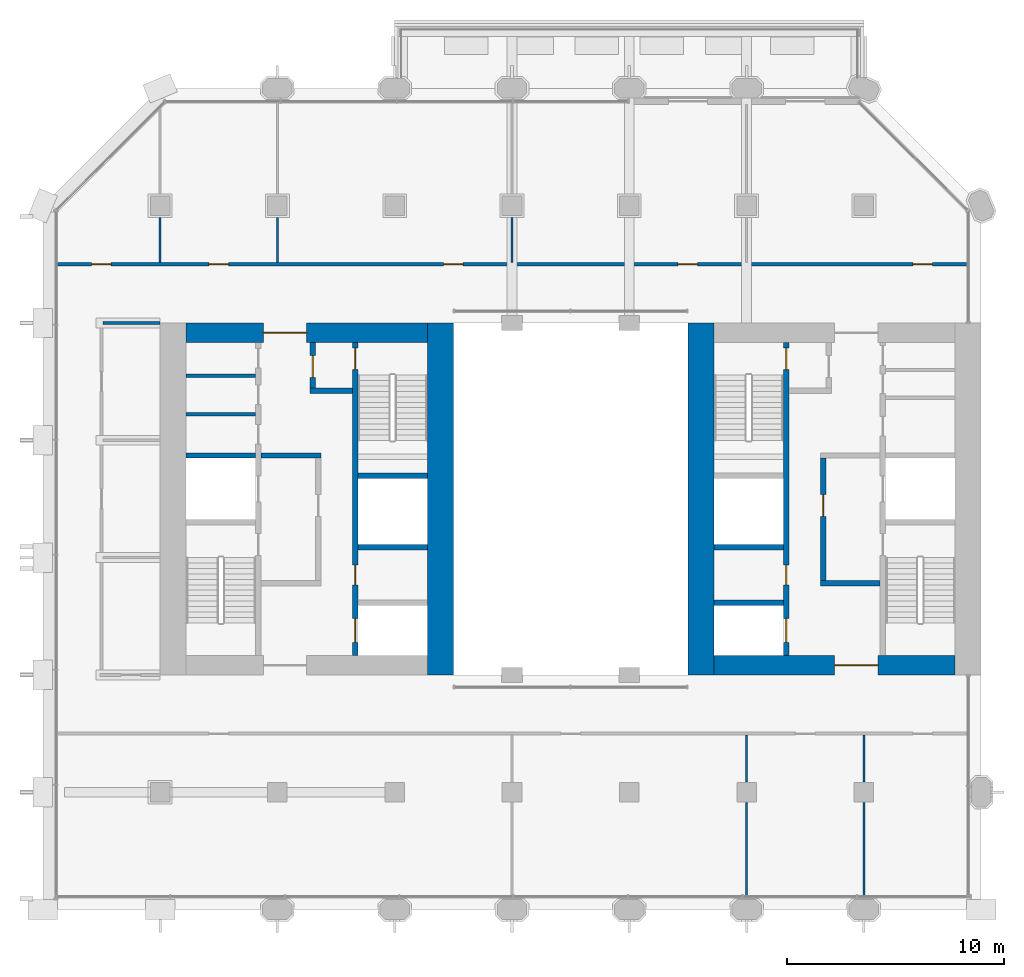
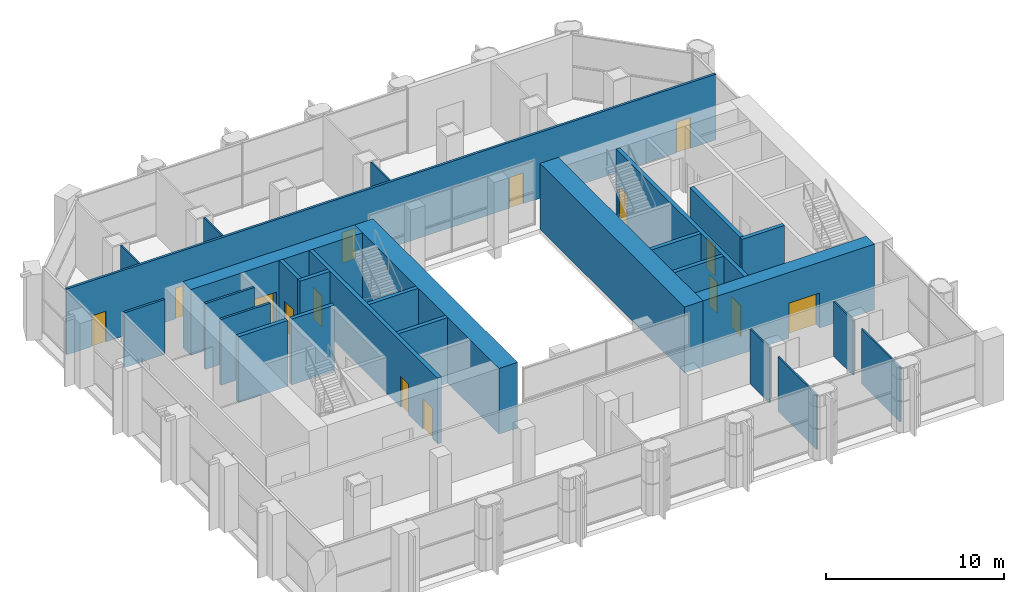
# One storey, part 11 of 15: 27 walls, 15 doors, 15 openings.
"""IFC4 building model written with IfcOpenShell, lengths in metres."""

from ifc_helpers import new_model, si_unit, direction, frame, frame_2d, origin, place, context, subcontext, project, spatial, rectangle, extrude, material, layer, layer_set, type_object, element, fill, save


model = new_model("IFC4")

# Units and contexts
model_context = context("Model", 3, precision=1e-05, world=origin(), true_north=direction((0.0, 1.0)))
body_context = subcontext(model_context, "Body", "Model", "MODEL_VIEW")
ifc_project = project(units=[si_unit("LENGTHUNIT", "METRE"), si_unit("AREAUNIT", "SQUARE_METRE"), si_unit("VOLUMEUNIT", "CUBIC_METRE"), si_unit("PLANEANGLEUNIT", "RADIAN"), si_unit("MASSUNIT", "GRAM", prefix="KILO")], contexts=[model_context])

# Site, building, storey
site_placement = place(None, origin())
site = spatial("IfcSite", under=ifc_project, at=site_placement, CompositionType="ELEMENT")
building_placement = place(site_placement, origin())
building = spatial("IfcBuilding", under=site, at=building_placement, Name="Tabaq Tower and Sports Hall", CompositionType="ELEMENT")
storey_placement = place(building_placement, frame((0.0, 0.0, 148.0)))
storey = spatial("IfcBuildingStorey", under=building, at=storey_placement, Name="L34", CompositionType="ELEMENT", Elevation=148.0)

# Walls
ifc_material_1 = material(Name="Blockwork", Category="masonry")
ifc_layer_1 = layer(ifc_material_1, 0.14990234375)
ifc_layer_set_1 = layer_set([ifc_layer_1], Name="Core room partition 150 Blockwork")
wall_type_1 = type_object("IfcWallType", Name="Core room partition 150 Blockwork", PredefinedType="PARTITIONING", material=ifc_layer_set_1)
for number, where, z_axis, x_axis, name in (
    (1, (6.60009765625, 28.200927734375, 0.0), (0.0, 0.0, 1.0), (1.0, 0.0, 0.0), "Core room partition W L34"),
    (2, (6.60009765625, 29.97705078125, 0.0), (0.0, 0.0, 1.0), (1.0, 0.0, 0.0), "Core room partition W L34"),
):
    element("IfcWall", number, at=place(storey_placement, frame(where, z_axis=z_axis, x_axis=x_axis)), inside=storey, type_object=wall_type_1, Name=name, PredefinedType="PARTITIONING", context=body_context, shape_type="SweptSolid", body=[
        extrude(rectangle(XDim=3.199951171875, YDim=0.14990234375, at=frame_2d((1.60009765625, 0.0))), origin(), (0.0, 0.0, 1.0), 4.5),
    ])
ifc_material_2 = material(Name="Concrete C50/60", Category="concrete")
ifc_layer_2 = layer(ifc_material_2, 1.199951171875)
ifc_layer_set_2 = layer_set([ifc_layer_2], Name="Core wall 1200 Concrete C50/60")
wall_type_2 = type_object("IfcWallType", Name="Core wall 1200 Concrete C50/60", PredefinedType="SOLIDWALL", material=ifc_layer_set_2)
for number, where, z_axis, x_axis, name in (
    (3, (18.300048828125, 32.39990234375, 0.0), (0.0, 0.0, 1.0), (0.0, -1.0, 0.0), "Core wall W L34"),
    (4, (30.300048828125, 16.199951171875, 0.0), (0.0, 0.0, 1.0), (0.0, 1.0, 0.0), "Core wall E L34"),
):
    element("IfcWall", number, at=place(storey_placement, frame(where, z_axis=z_axis, x_axis=x_axis)), inside=storey, type_object=wall_type_2, Name=name, PredefinedType="SOLIDWALL", context=body_context, shape_type="SweptSolid", body=[
        extrude(rectangle(XDim=16.199951171875, YDim=1.199951171875, at=frame_2d((8.10009765625, 0.0))), origin(), (0.0, 0.0, 1.0), 4.5),
    ])

# Wall, opening, door
ifc_material_3 = material(Name="Concrete C50/60", Category="concrete")
ifc_layer_3 = layer(ifc_material_3, 0.89990234375)
ifc_layer_set_3 = layer_set([ifc_layer_3], Name="Core wall 900 Concrete C50/60")
wall_type_3 = type_object("IfcWallType", Name="Core wall 900 Concrete C50/60", PredefinedType="SOLIDWALL", material=ifc_layer_set_3)
wall_1_placement = place(storey_placement, frame((6.60009765625, 31.949951171875, 0.0), z_axis=(0.0, 0.0, 1.0), x_axis=(1.0, 0.0, 0.0)))
wall_1 = element("IfcWall", 5, at=wall_1_placement, inside=storey, type_object=wall_type_3, Name="Core wall W L34", PredefinedType="SOLIDWALL", context=body_context, shape_type="SweptSolid", body=[
    extrude(rectangle(XDim=11.099853515625, YDim=0.89990234375, at=frame_2d((5.5498046875, 0.0))), origin(), (0.0, 0.0, 1.0), 4.5),
])
opening_1_placement = place(wall_1_placement, frame((3.550048828125, 0.0, 0.0)))
opening_1 = element("IfcOpeningElement", 6, at=opening_1_placement, cuts=wall_1, Name="Opening PD-WL34-02", PredefinedType="OPENING", context=body_context, shape_type="SweptSolid", body=[
    extrude(rectangle(XDim=2.0, YDim=2.39990234375, at=frame_2d((1.0, 1.199951171875))), frame((0.0, 0.449951171875, 0.0), z_axis=(0.0, -1.0, 0.0), x_axis=(1.0, 0.0, 0.0)), (0.0, 0.0, 1.0), 0.89990234375),
])
ifc_material_4 = material(Name="Steel fire door", Category="steel")
door_type_1 = type_object("IfcDoorType", Name="Core entrance door 2000", OperationType="DOUBLE_DOOR_SINGLE_SWING", PredefinedType="DOOR", material=ifc_material_4)
door_1_placement = place(opening_1_placement, origin())
door_1 = element("IfcDoor", 7, at=door_1_placement, inside=storey, type_object=door_type_1, Name="Core entrance north W L34", OperationType="DOUBLE_DOOR_SINGLE_SWING", OverallHeight=2.39990234375, OverallWidth=2.0, PredefinedType="DOOR", context=body_context, shape_type="SweptSolid", body=[
    extrude(rectangle(XDim=2.0, YDim=2.39990234375, at=frame_2d((1.0, 1.199951171875))), frame((0.0, 0.02490234375, 0.0), z_axis=(0.0, -1.0, 0.0), x_axis=(1.0, 0.0, 0.0)), (0.0, 0.0, 1.0), 0.050048828125),
])
fill(opening_1, door_1)

wall_2_placement = place(storey_placement, frame((42.0, 16.64990234375, 0.0), z_axis=(0.0, 0.0, 1.0), x_axis=(-1.0, 0.0, 0.0)))
wall_2 = element("IfcWall", 8, at=wall_2_placement, inside=storey, type_object=wall_type_3, Name="Core wall E L34", PredefinedType="SOLIDWALL", context=body_context, shape_type="SweptSolid", body=[
    extrude(rectangle(XDim=11.10009765625, YDim=0.89990234375, at=frame_2d((5.550048828125, 0.0))), origin(), (0.0, 0.0, 1.0), 4.5),
])
opening_2_placement = place(wall_2_placement, frame((3.550048828125, 0.0, 0.0)))
opening_2 = element("IfcOpeningElement", 9, at=opening_2_placement, cuts=wall_2, Name="Opening PD-EL34-01", PredefinedType="OPENING", context=body_context, shape_type="SweptSolid", body=[
    extrude(rectangle(XDim=2.0, YDim=2.39990234375, at=frame_2d((1.0, 1.199951171875))), frame((0.0, 0.449951171875, 0.0), z_axis=(0.0, -1.0, 0.0), x_axis=(1.0, 0.0, 0.0)), (0.0, 0.0, 1.0), 0.89990234375),
])
door_2_placement = place(opening_2_placement, origin())
door_2 = element("IfcDoor", 10, at=door_2_placement, inside=storey, type_object=door_type_1, Name="Core entrance south E L34", OperationType="DOUBLE_DOOR_SINGLE_SWING", OverallHeight=2.39990234375, OverallWidth=2.0, PredefinedType="DOOR", context=body_context, shape_type="SweptSolid", body=[
    extrude(rectangle(XDim=2.0, YDim=2.39990234375, at=frame_2d((1.0, 1.199951171875))), frame((0.0, 0.02490234375, 0.0), z_axis=(0.0, -1.0, 0.0), x_axis=(1.0, 0.0, 0.0)), (0.0, 0.0, 1.0), 0.050048828125),
])
fill(opening_2, door_2)

# Walls
ifc_material_5 = material(Name="Gypsum board on steel studs", Category="steel")
ifc_layer_4 = layer(ifc_material_5, 0.10009765625)
ifc_layer_set_4 = layer_set([ifc_layer_4], Name="Partition 100 Gypsum board")
wall_type_4 = type_object("IfcWallType", Name="Partition 100 Gypsum board", PredefinedType="PARTITIONING", material=ifc_layer_set_4)
for number, where, z_axis, x_axis, name in (
    (11, (5.39990234375, 35.175048828125, 0.0), (0.0, 0.0, 1.0), (0.0, 1.0, 0.0), "Partition wall L34"),
    (12, (10.800048828125, 35.175048828125, 0.0), (0.0, 0.0, 1.0), (0.0, 1.0, 0.0), "Partition wall L34"),
    (13, (21.60009765625, 35.175048828125, 0.0), (0.0, 0.0, 1.0), (0.0, 1.0, 0.0), "Partition wall L34"),
):
    element("IfcWall", number, at=place(storey_placement, frame(where, z_axis=z_axis, x_axis=x_axis)), inside=storey, type_object=wall_type_4, Name=name, PredefinedType="PARTITIONING", context=body_context, shape_type="SweptSolid", body=[
        extrude(rectangle(XDim=2.07421875, YDim=0.10009765625, at=frame_2d((1.037109375, 0.0))), origin(), (0.0, 0.0, 1.0), 4.5),
    ])
wall_3_placement = place(storey_placement, frame((32.39990234375, 6.0, 0.0), z_axis=(0.0, 0.0, 1.0), x_axis=(0.0, 1.0, 0.0)))
element("IfcWall", 14, at=wall_3_placement, inside=storey, type_object=wall_type_4, Name="Partition wall L34", PredefinedType="PARTITIONING", context=body_context, shape_type="SweptSolid", body=[
    extrude(rectangle(XDim=4.330078125, YDim=0.10009765625, at=frame_2d((2.1650390625, 0.0))), origin(), (0.0, 0.0, 1.0), 3.75),
])
wall_4_placement = place(storey_placement, frame((32.39990234375, 11.27001953125, 0.0), z_axis=(0.0, 0.0, 1.0), x_axis=(0.0, 1.0, 0.0)))
element("IfcWall", 15, at=wall_4_placement, inside=storey, type_object=wall_type_4, Name="Partition wall L34", PredefinedType="PARTITIONING", context=body_context, shape_type="SweptSolid", body=[
    extrude(rectangle(XDim=2.155029296875, YDim=0.10009765625, at=frame_2d((1.07763671875, 0.0))), origin(), (0.0, 0.0, 1.0), 3.75),
])
wall_5_placement = place(storey_placement, frame((37.800048828125, 6.0, 0.0), z_axis=(0.0, 0.0, 1.0), x_axis=(0.0, 1.0, 0.0)))
element("IfcWall", 16, at=wall_5_placement, inside=storey, type_object=wall_type_4, Name="Partition wall L34", PredefinedType="PARTITIONING", context=body_context, shape_type="SweptSolid", body=[
    extrude(rectangle(XDim=4.330078125, YDim=0.10009765625, at=frame_2d((2.1650390625, 0.0))), origin(), (0.0, 0.0, 1.0), 3.75),
])
wall_6_placement = place(storey_placement, frame((37.800048828125, 11.27001953125, 0.0), z_axis=(0.0, 0.0, 1.0), x_axis=(0.0, 1.0, 0.0)))
element("IfcWall", 17, at=wall_6_placement, inside=storey, type_object=wall_type_4, Name="Partition wall L34", PredefinedType="PARTITIONING", context=body_context, shape_type="SweptSolid", body=[
    extrude(rectangle(XDim=2.155029296875, YDim=0.10009765625, at=frame_2d((1.07763671875, 0.0))), origin(), (0.0, 0.0, 1.0), 3.75),
])
ifc_material_6 = material(Name="Blockwork", Category="masonry")
ifc_layer_5 = layer(ifc_material_6, 0.14990234375)
ifc_layer_set_5 = layer_set([ifc_layer_5], Name="Separating wall 150 Blockwork")
wall_type_5 = type_object("IfcWallType", Name="Separating wall 150 Blockwork", PredefinedType="PARTITIONING", material=ifc_layer_set_5)
wall_7_placement = place(storey_placement, frame((2.77490234375, 32.39990234375, 0.0), z_axis=(0.0, 0.0, 1.0), x_axis=(1.0, 0.0, 0.0)))
element("IfcWall", 18, at=wall_7_placement, inside=storey, type_object=wall_type_5, Name="Separating wall L34", PredefinedType="PARTITIONING", context=body_context, shape_type="SweptSolid", body=[
    extrude(rectangle(XDim=2.625, YDim=0.14990234375, at=frame_2d((1.3125, 0.0))), origin(), (0.0, 0.0, 1.0), 3.75),
])

# Wall, openings, doors
wall_8_placement = place(storey_placement, frame((42.60009765625, 35.10009765625, 0.0), z_axis=(0.0, 0.0, 1.0), x_axis=(-1.0, 0.0, 0.0)))
wall_8 = element("IfcWall", 19, at=wall_8_placement, inside=storey, type_object=wall_type_5, Name="Separating wall L34", PredefinedType="PARTITIONING", context=body_context, shape_type="SweptSolid", body=[
    extrude(rectangle(XDim=42.0, YDim=0.14990234375, at=frame_2d((21.0, 0.0))), origin(), (0.0, 0.0, 1.0), 4.5),
])
opening_3_placement = place(wall_8_placement, frame((39.449951171875, 0.0, 0.0)))
opening_3 = element("IfcOpeningElement", 20, at=opening_3_placement, cuts=wall_8, Name="Opening L34-001", PredefinedType="OPENING", context=body_context, shape_type="SweptSolid", body=[
    extrude(rectangle(XDim=0.89990234375, YDim=2.10009765625, at=frame_2d((0.449951171875, 1.050048828125))), frame((0.0, 0.074951171875, 0.0), z_axis=(0.0, -1.0, 0.0), x_axis=(1.0, 0.0, 0.0)), (0.0, 0.0, 1.0), 0.14990234375),
])
opening_4_placement = place(wall_8_placement, frame((34.050048828125, 0.0, 0.0)))
opening_4 = element("IfcOpeningElement", 21, at=opening_4_placement, cuts=wall_8, Name="Opening L34-002", PredefinedType="OPENING", context=body_context, shape_type="SweptSolid", body=[
    extrude(rectangle(XDim=0.89990234375, YDim=2.10009765625, at=frame_2d((0.449951171875, 1.050048828125))), frame((0.0, 0.074951171875, 0.0), z_axis=(0.0, -1.0, 0.0), x_axis=(1.0, 0.0, 0.0)), (0.0, 0.0, 1.0), 0.14990234375),
])
opening_5_placement = place(wall_8_placement, frame((23.25, 0.0, 0.0)))
opening_5 = element("IfcOpeningElement", 22, at=opening_5_placement, cuts=wall_8, Name="Opening L34-003", PredefinedType="OPENING", context=body_context, shape_type="SweptSolid", body=[
    extrude(rectangle(XDim=0.89990234375, YDim=2.10009765625, at=frame_2d((0.449951171875, 1.050048828125))), frame((0.0, 0.074951171875, 0.0), z_axis=(0.0, -1.0, 0.0), x_axis=(1.0, 0.0, 0.0)), (0.0, 0.0, 1.0), 0.14990234375),
])
opening_6_placement = place(wall_8_placement, frame((12.449951171875, 0.0, 0.0)))
opening_6 = element("IfcOpeningElement", 23, at=opening_6_placement, cuts=wall_8, Name="Opening L34-004", PredefinedType="OPENING", context=body_context, shape_type="SweptSolid", body=[
    extrude(rectangle(XDim=0.89990234375, YDim=2.10009765625, at=frame_2d((0.449951171875, 1.050048828125))), frame((0.0, 0.074951171875, 0.0), z_axis=(0.0, -1.0, 0.0), x_axis=(1.0, 0.0, 0.0)), (0.0, 0.0, 1.0), 0.14990234375),
])
opening_7_placement = place(wall_8_placement, frame((1.64990234375, 0.0, 0.0)))
opening_7 = element("IfcOpeningElement", 24, at=opening_7_placement, cuts=wall_8, Name="Opening L34-005", PredefinedType="OPENING", context=body_context, shape_type="SweptSolid", body=[
    extrude(rectangle(XDim=0.89990234375, YDim=2.10009765625, at=frame_2d((0.449951171875, 1.050048828125))), frame((0.0, 0.074951171875, 0.0), z_axis=(0.0, -1.0, 0.0), x_axis=(1.0, 0.0, 0.0)), (0.0, 0.0, 1.0), 0.14990234375),
])
ifc_material_7 = material(Name="Timber leaf in steel frame", Category="steel")
door_type_2 = type_object("IfcDoorType", Name="Internal door 900 left hand", OperationType="SINGLE_SWING_LEFT", PredefinedType="DOOR", material=ifc_material_7)
door_3_placement = place(opening_6_placement, origin())
door_3 = element("IfcDoor", 25, at=door_3_placement, inside=storey, type_object=door_type_2, Name="Internal door L34-004", OperationType="SINGLE_SWING_LEFT", OverallHeight=2.10009765625, OverallWidth=0.89990234375, PredefinedType="DOOR", context=body_context, shape_type="SweptSolid", body=[
    extrude(rectangle(XDim=0.89990234375, YDim=2.10009765625, at=frame_2d((0.449951171875, 1.050048828125))), frame((0.0, 0.02490234375, 0.0), z_axis=(0.0, -1.0, 0.0), x_axis=(1.0, 0.0, 0.0)), (0.0, 0.0, 1.0), 0.050048828125),
])
fill(opening_6, door_3)
door_4_placement = place(opening_7_placement, origin())
door_4 = element("IfcDoor", 26, at=door_4_placement, inside=storey, type_object=door_type_2, Name="Internal door L34-005", OperationType="SINGLE_SWING_LEFT", OverallHeight=2.10009765625, OverallWidth=0.89990234375, PredefinedType="DOOR", context=body_context, shape_type="SweptSolid", body=[
    extrude(rectangle(XDim=0.89990234375, YDim=2.10009765625, at=frame_2d((0.449951171875, 1.050048828125))), frame((0.0, 0.02490234375, 0.0), z_axis=(0.0, -1.0, 0.0), x_axis=(1.0, 0.0, 0.0)), (0.0, 0.0, 1.0), 0.050048828125),
])
fill(opening_7, door_4)
ifc_material_8 = material(Name="Timber leaf in steel frame", Category="steel")
door_type_3 = type_object("IfcDoorType", Name="Internal door 900 right hand", OperationType="SINGLE_SWING_RIGHT", PredefinedType="DOOR", material=ifc_material_8)
door_5_placement = place(opening_3_placement, origin())
door_5 = element("IfcDoor", 27, at=door_5_placement, inside=storey, type_object=door_type_3, Name="Internal door L34-001", OperationType="SINGLE_SWING_RIGHT", OverallHeight=2.10009765625, OverallWidth=0.89990234375, PredefinedType="DOOR", context=body_context, shape_type="SweptSolid", body=[
    extrude(rectangle(XDim=0.89990234375, YDim=2.10009765625, at=frame_2d((0.449951171875, 1.050048828125))), frame((0.0, 0.02490234375, 0.0), z_axis=(0.0, -1.0, 0.0), x_axis=(1.0, 0.0, 0.0)), (0.0, 0.0, 1.0), 0.050048828125),
])
fill(opening_3, door_5)
door_6_placement = place(opening_4_placement, origin())
door_6 = element("IfcDoor", 28, at=door_6_placement, inside=storey, type_object=door_type_3, Name="Internal door L34-002", OperationType="SINGLE_SWING_RIGHT", OverallHeight=2.10009765625, OverallWidth=0.89990234375, PredefinedType="DOOR", context=body_context, shape_type="SweptSolid", body=[
    extrude(rectangle(XDim=0.89990234375, YDim=2.10009765625, at=frame_2d((0.449951171875, 1.050048828125))), frame((0.0, 0.02490234375, 0.0), z_axis=(0.0, -1.0, 0.0), x_axis=(1.0, 0.0, 0.0)), (0.0, 0.0, 1.0), 0.050048828125),
])
fill(opening_4, door_6)
door_7_placement = place(opening_5_placement, origin())
door_7 = element("IfcDoor", 29, at=door_7_placement, inside=storey, type_object=door_type_3, Name="Internal door L34-003", OperationType="SINGLE_SWING_RIGHT", OverallHeight=2.10009765625, OverallWidth=0.89990234375, PredefinedType="DOOR", context=body_context, shape_type="SweptSolid", body=[
    extrude(rectangle(XDim=0.89990234375, YDim=2.10009765625, at=frame_2d((0.449951171875, 1.050048828125))), frame((0.0, 0.02490234375, 0.0), z_axis=(0.0, -1.0, 0.0), x_axis=(1.0, 0.0, 0.0)), (0.0, 0.0, 1.0), 0.050048828125),
])
fill(opening_5, door_7)

ifc_material_9 = material(Name="Concrete C40/50", Category="concrete")
ifc_layer_6 = layer(ifc_material_9, 0.25)
ifc_layer_set_6 = layer_set([ifc_layer_6], Name="Shaft and stair wall 250 Concrete C40/50")
wall_type_6 = type_object("IfcWallType", Name="Shaft and stair wall 250 Concrete C40/50", PredefinedType="SOLIDWALL", material=ifc_layer_set_6)
wall_9_placement = place(storey_placement, frame((14.375, 17.10009765625, 0.0), z_axis=(0.0, 0.0, 1.0), x_axis=(0.0, 1.0, 0.0)))
wall_9 = element("IfcWall", 30, at=wall_9_placement, inside=storey, type_object=wall_type_6, Name="Shaft wall W L34", PredefinedType="SOLIDWALL", context=body_context, shape_type="SweptSolid", body=[
    extrude(rectangle(XDim=14.39990234375, YDim=0.25, at=frame_2d((7.199951171875, 0.0))), origin(), (0.0, 0.0, 1.0), 4.5),
])
opening_8_placement = place(wall_9_placement, frame((13.14990234375, 0.0, 0.0)))
opening_8 = element("IfcOpeningElement", 31, at=opening_8_placement, cuts=wall_9, Name="Opening SD-WL34-05", PredefinedType="OPENING", context=body_context, shape_type="SweptSolid", body=[
    extrude(rectangle(XDim=1.0, YDim=2.10009765625, at=frame_2d((0.5, 1.050048828125))), frame((0.0, 0.125, 0.0), z_axis=(0.0, -1.0, 0.0), x_axis=(1.0, 0.0, 0.0)), (0.0, 0.0, 1.0), 0.25),
])
opening_9_placement = place(wall_9_placement, frame((0.60009765625, 0.0, 0.0)))
opening_9 = element("IfcOpeningElement", 32, at=opening_9_placement, cuts=wall_9, Name="Opening LD-MR1-L34", PredefinedType="OPENING", context=body_context, shape_type="SweptSolid", body=[
    extrude(rectangle(XDim=1.10009765625, YDim=2.10009765625, at=frame_2d((0.550048828125, 1.050048828125))), frame((0.0, 0.125, 0.0), z_axis=(0.0, -1.0, 0.0), x_axis=(1.0, 0.0, 0.0)), (0.0, 0.0, 1.0), 0.25),
])
opening_10_placement = place(wall_9_placement, frame((3.25, 0.0, 0.0)))
opening_10 = element("IfcOpeningElement", 33, at=opening_10_placement, cuts=wall_9, Name="Opening RD-WL34-12", PredefinedType="OPENING", context=body_context, shape_type="SweptSolid", body=[
    extrude(rectangle(XDim=0.89990234375, YDim=2.10009765625, at=frame_2d((0.449951171875, 1.050048828125))), frame((0.0, 0.125, 0.0), z_axis=(0.0, -1.0, 0.0), x_axis=(1.0, 0.0, 0.0)), (0.0, 0.0, 1.0), 0.25),
])
ifc_material_10 = material(Name="Steel fire door", Category="steel")
door_type_4 = type_object("IfcDoorType", Name="Core room door 900", OperationType="SINGLE_SWING_LEFT", PredefinedType="DOOR", material=ifc_material_10)
door_8_placement = place(opening_10_placement, origin())
door_8 = element("IfcDoor", 34, at=door_8_placement, inside=storey, type_object=door_type_4, Name="Door Cleaner's Store W L34", OperationType="SINGLE_SWING_LEFT", OverallHeight=2.10009765625, OverallWidth=0.89990234375, PredefinedType="DOOR", context=body_context, shape_type="SweptSolid", body=[
    extrude(rectangle(XDim=0.89990234375, YDim=2.10009765625, at=frame_2d((0.449951171875, 1.050048828125))), frame((0.0, 0.02490234375, 0.0), z_axis=(0.0, -1.0, 0.0), x_axis=(1.0, 0.0, 0.0)), (0.0, 0.0, 1.0), 0.050048828125),
])
fill(opening_10, door_8)
ifc_material_11 = material(Name="Stainless steel", Category="steel")
door_type_5 = type_object("IfcDoorType", Name="Lift landing door 1100", OperationType="DOUBLE_DOOR_SLIDING", PredefinedType="DOOR", material=ifc_material_11)
door_9_placement = place(opening_9_placement, origin())
door_9 = element("IfcDoor", 35, at=door_9_placement, inside=storey, type_object=door_type_5, Name="Lift landing door MR1 W L34", OperationType="DOUBLE_DOOR_SLIDING", OverallHeight=2.10009765625, OverallWidth=1.10009765625, PredefinedType="DOOR", context=body_context, shape_type="SweptSolid", body=[
    extrude(rectangle(XDim=1.10009765625, YDim=2.10009765625, at=frame_2d((0.550048828125, 1.050048828125))), frame((0.0, 0.02490234375, 0.0), z_axis=(0.0, -1.0, 0.0), x_axis=(1.0, 0.0, 0.0)), (0.0, 0.0, 1.0), 0.050048828125),
])
fill(opening_9, door_9)
ifc_material_12 = material(Name="Steel fire door", Category="steel")
door_type_6 = type_object("IfcDoorType", Name="Stair door 1000", OperationType="SINGLE_SWING_LEFT", PredefinedType="DOOR", material=ifc_material_12)
door_10_placement = place(opening_8_placement, origin())
door_10 = element("IfcDoor", 36, at=door_10_placement, inside=storey, type_object=door_type_6, Name="Stair door ST2 W L34", OperationType="SINGLE_SWING_LEFT", OverallHeight=2.10009765625, OverallWidth=1.0, PredefinedType="DOOR", context=body_context, shape_type="SweptSolid", body=[
    extrude(rectangle(XDim=1.0, YDim=2.10009765625, at=frame_2d((0.5, 1.050048828125))), frame((0.0, 0.02490234375, 0.0), z_axis=(0.0, -1.0, 0.0), x_axis=(1.0, 0.0, 0.0)), (0.0, 0.0, 1.0), 0.050048828125),
])
fill(opening_8, door_10)

# Walls
for number, where, z_axis, x_axis, name in (
    (37, (14.5, 25.375, 0.0), (0.0, 0.0, 1.0), (1.0, 0.0, 0.0), "Stair enclosure wall W L34"),
    (38, (14.5, 22.074951171875, 0.0), (0.0, 0.0, 1.0), (1.0, 0.0, 0.0), "Shaft wall W L34"),
    (39, (6.60009765625, 26.300048828125, 0.0), (0.0, 0.0, 1.0), (1.0, 0.0, 0.0), "Shaft wall W L34"),
):
    element("IfcWall", number, at=place(storey_placement, frame(where, z_axis=z_axis, x_axis=x_axis)), inside=storey, type_object=wall_type_6, Name=name, PredefinedType="SOLIDWALL", context=body_context, shape_type="SweptSolid", body=[
        extrude(rectangle(XDim=3.199951171875, YDim=0.25, at=frame_2d((1.60009765625, 0.0))), origin(), (0.0, 0.0, 1.0), 4.5),
    ])
wall_10_placement = place(storey_placement, frame((10.050048828125, 26.300048828125, 0.0), z_axis=(0.0, 0.0, 1.0), x_axis=(1.0, 0.0, 0.0)))
element("IfcWall", 40, at=wall_10_placement, inside=storey, type_object=wall_type_6, Name="Fire-fighting lobby wall W L34", PredefinedType="SOLIDWALL", context=body_context, shape_type="SweptSolid", body=[
    extrude(rectangle(XDim=2.75, YDim=0.25, at=frame_2d((1.375, 0.0))), origin(), (0.0, 0.0, 1.0), 4.5),
])

# Wall, opening, door
wall_11_placement = place(storey_placement, frame((12.425048828125, 29.39990234375, 0.0), z_axis=(0.0, 0.0, 1.0), x_axis=(0.0, 1.0, 0.0)))
wall_11 = element("IfcWall", 41, at=wall_11_placement, inside=storey, type_object=wall_type_6, Name="Fire-fighting lobby wall W L34", PredefinedType="SOLIDWALL", context=body_context, shape_type="SweptSolid", body=[
    extrude(rectangle(XDim=2.10009765625, YDim=0.25, at=frame_2d((1.050048828125, 0.0))), origin(), (0.0, 0.0, 1.0), 4.5),
])
opening_11_placement = place(wall_11_placement, frame((0.5, 0.0, 0.0)))
opening_11 = element("IfcOpeningElement", 42, at=opening_11_placement, cuts=wall_11, Name="Opening FD-WL34-06", PredefinedType="OPENING", context=body_context, shape_type="SweptSolid", body=[
    extrude(rectangle(XDim=1.0, YDim=2.10009765625, at=frame_2d((0.5, 1.050048828125))), frame((0.0, 0.125, 0.0), z_axis=(0.0, -1.0, 0.0), x_axis=(1.0, 0.0, 0.0)), (0.0, 0.0, 1.0), 0.25),
])
ifc_material_13 = material(Name="Steel fire door", Category="steel")
door_type_7 = type_object("IfcDoorType", Name="Fire-fighting lobby door 1000", OperationType="SINGLE_SWING_LEFT", PredefinedType="DOOR", material=ifc_material_13)
door_11_placement = place(opening_11_placement, origin())
door_11 = element("IfcDoor", 43, at=door_11_placement, inside=storey, type_object=door_type_7, Name="Stair lobby door W L34", OperationType="SINGLE_SWING_LEFT", OverallHeight=2.10009765625, OverallWidth=1.0, PredefinedType="DOOR", context=body_context, shape_type="SweptSolid", body=[
    extrude(rectangle(XDim=1.0, YDim=2.10009765625, at=frame_2d((0.5, 1.050048828125))), frame((0.0, 0.02490234375, 0.0), z_axis=(0.0, -1.0, 0.0), x_axis=(1.0, 0.0, 0.0)), (0.0, 0.0, 1.0), 0.050048828125),
])
fill(opening_11, door_11)

# Wall
wall_12_placement = place(storey_placement, frame((12.300048828125, 29.27490234375, 0.0), z_axis=(0.0, 0.0, 1.0), x_axis=(1.0, 0.0, 0.0)))
element("IfcWall", 44, at=wall_12_placement, inside=storey, type_object=wall_type_6, Name="Fire-fighting lobby wall W L34", PredefinedType="SOLIDWALL", context=body_context, shape_type="SweptSolid", body=[
    extrude(rectangle(XDim=1.949951171875, YDim=0.25, at=frame_2d((0.97509765625, 0.0))), origin(), (0.0, 0.0, 1.0), 4.5),
])

# Wall, openings, doors
wall_13_placement = place(storey_placement, frame((34.22509765625, 17.10009765625, 0.0), z_axis=(0.0, 0.0, 1.0), x_axis=(0.0, 1.0, 0.0)))
wall_13 = element("IfcWall", 45, at=wall_13_placement, inside=storey, type_object=wall_type_6, Name="Shaft wall E L34", PredefinedType="SOLIDWALL", context=body_context, shape_type="SweptSolid", body=[
    extrude(rectangle(XDim=14.39990234375, YDim=0.25, at=frame_2d((7.199951171875, 0.0))), origin(), (0.0, 0.0, 1.0), 4.5),
])
opening_12_placement = place(wall_13_placement, frame((13.14990234375, 0.0, 0.0)))
opening_12 = element("IfcOpeningElement", 46, at=opening_12_placement, cuts=wall_13, Name="Opening SD-EL34-05", PredefinedType="OPENING", context=body_context, shape_type="SweptSolid", body=[
    extrude(rectangle(XDim=1.0, YDim=2.10009765625, at=frame_2d((0.5, 1.050048828125))), frame((0.0, 0.125, 0.0), z_axis=(0.0, -1.0, 0.0), x_axis=(1.0, 0.0, 0.0)), (0.0, 0.0, 1.0), 0.25),
])
opening_13_placement = place(wall_13_placement, frame((0.60009765625, 0.0, 0.0)))
opening_13 = element("IfcOpeningElement", 47, at=opening_13_placement, cuts=wall_13, Name="Opening LD-MR2-L34", PredefinedType="OPENING", context=body_context, shape_type="SweptSolid", body=[
    extrude(rectangle(XDim=1.10009765625, YDim=2.10009765625, at=frame_2d((0.550048828125, 1.050048828125))), frame((0.0, 0.125, 0.0), z_axis=(0.0, -1.0, 0.0), x_axis=(1.0, 0.0, 0.0)), (0.0, 0.0, 1.0), 0.25),
])
opening_14_placement = place(wall_13_placement, frame((3.25, 0.0, 0.0)))
opening_14 = element("IfcOpeningElement", 48, at=opening_14_placement, cuts=wall_13, Name="Opening RD-EL34-12", PredefinedType="OPENING", context=body_context, shape_type="SweptSolid", body=[
    extrude(rectangle(XDim=0.89990234375, YDim=2.10009765625, at=frame_2d((0.449951171875, 1.050048828125))), frame((0.0, 0.125, 0.0), z_axis=(0.0, -1.0, 0.0), x_axis=(1.0, 0.0, 0.0)), (0.0, 0.0, 1.0), 0.25),
])
door_12_placement = place(opening_14_placement, origin())
door_12 = element("IfcDoor", 49, at=door_12_placement, inside=storey, type_object=door_type_4, Name="Door Cleaner's Store E L34", OperationType="SINGLE_SWING_LEFT", OverallHeight=2.10009765625, OverallWidth=0.89990234375, PredefinedType="DOOR", context=body_context, shape_type="SweptSolid", body=[
    extrude(rectangle(XDim=0.89990234375, YDim=2.10009765625, at=frame_2d((0.449951171875, 1.050048828125))), frame((0.0, 0.02490234375, 0.0), z_axis=(0.0, -1.0, 0.0), x_axis=(1.0, 0.0, 0.0)), (0.0, 0.0, 1.0), 0.050048828125),
])
fill(opening_14, door_12)
door_13_placement = place(opening_13_placement, origin())
door_13 = element("IfcDoor", 50, at=door_13_placement, inside=storey, type_object=door_type_5, Name="Lift landing door MR2 E L34", OperationType="DOUBLE_DOOR_SLIDING", OverallHeight=2.10009765625, OverallWidth=1.10009765625, PredefinedType="DOOR", context=body_context, shape_type="SweptSolid", body=[
    extrude(rectangle(XDim=1.10009765625, YDim=2.10009765625, at=frame_2d((0.550048828125, 1.050048828125))), frame((0.0, 0.02490234375, 0.0), z_axis=(0.0, -1.0, 0.0), x_axis=(1.0, 0.0, 0.0)), (0.0, 0.0, 1.0), 0.050048828125),
])
fill(opening_13, door_13)
door_14_placement = place(opening_12_placement, origin())
door_14 = element("IfcDoor", 51, at=door_14_placement, inside=storey, type_object=door_type_6, Name="Stair door ST4 E L34", OperationType="SINGLE_SWING_LEFT", OverallHeight=2.10009765625, OverallWidth=1.0, PredefinedType="DOOR", context=body_context, shape_type="SweptSolid", body=[
    extrude(rectangle(XDim=1.0, YDim=2.10009765625, at=frame_2d((0.5, 1.050048828125))), frame((0.0, 0.02490234375, 0.0), z_axis=(0.0, -1.0, 0.0), x_axis=(1.0, 0.0, 0.0)), (0.0, 0.0, 1.0), 0.050048828125),
])
fill(opening_12, door_14)

# Walls
wall_14_placement = place(storey_placement, frame((30.89990234375, 22.074951171875, 0.0), z_axis=(0.0, 0.0, 1.0), x_axis=(1.0, 0.0, 0.0)))
element("IfcWall", 52, at=wall_14_placement, inside=storey, type_object=wall_type_6, Name="Shaft wall E L34", PredefinedType="SOLIDWALL", context=body_context, shape_type="SweptSolid", body=[
    extrude(rectangle(XDim=3.2001953125, YDim=0.25, at=frame_2d((1.60009765625, 0.0))), origin(), (0.0, 0.0, 1.0), 4.5),
])
wall_15_placement = place(storey_placement, frame((35.800048828125, 20.425048828125, 0.0), z_axis=(0.0, 0.0, 1.0), x_axis=(1.0, 0.0, 0.0)))
element("IfcWall", 53, at=wall_15_placement, inside=storey, type_object=wall_type_6, Name="Fire-fighting lobby wall E L34", PredefinedType="SOLIDWALL", context=body_context, shape_type="SweptSolid", body=[
    extrude(rectangle(XDim=2.75, YDim=0.25, at=frame_2d((1.375, 0.0))), origin(), (0.0, 0.0, 1.0), 4.5),
])

# Wall, opening, door
wall_16_placement = place(storey_placement, frame((35.925048828125, 20.550048828125, 0.0), z_axis=(0.0, 0.0, 1.0), x_axis=(0.0, 1.0, 0.0)))
wall_16 = element("IfcWall", 54, at=wall_16_placement, inside=storey, type_object=wall_type_6, Name="Fire-fighting lobby wall E L34", PredefinedType="SOLIDWALL", context=body_context, shape_type="SweptSolid", body=[
    extrude(rectangle(XDim=5.625, YDim=0.25, at=frame_2d((2.8125, 0.0))), origin(), (0.0, 0.0, 1.0), 4.5),
])
opening_15_placement = place(wall_16_placement, frame((2.949951171875, 0.0, 0.0)))
opening_15 = element("IfcOpeningElement", 55, at=opening_15_placement, cuts=wall_16, Name="Opening FD-EL34-04", PredefinedType="OPENING", context=body_context, shape_type="SweptSolid", body=[
    extrude(rectangle(XDim=1.0, YDim=2.10009765625, at=frame_2d((0.5, 1.050048828125))), frame((0.0, 0.125, 0.0), z_axis=(0.0, -1.0, 0.0), x_axis=(1.0, 0.0, 0.0)), (0.0, 0.0, 1.0), 0.25),
])
door_15_placement = place(opening_15_placement, origin())
door_15 = element("IfcDoor", 56, at=door_15_placement, inside=storey, type_object=door_type_7, Name="Fire-fighting lobby door E L34", OperationType="SINGLE_SWING_LEFT", OverallHeight=2.10009765625, OverallWidth=1.0, PredefinedType="DOOR", context=body_context, shape_type="SweptSolid", body=[
    extrude(rectangle(XDim=1.0, YDim=2.10009765625, at=frame_2d((0.5, 1.050048828125))), frame((0.0, 0.02490234375, 0.0), z_axis=(0.0, -1.0, 0.0), x_axis=(1.0, 0.0, 0.0)), (0.0, 0.0, 1.0), 0.050048828125),
])
fill(opening_15, door_15)

# Wall
wall_17_placement = place(storey_placement, frame((30.89990234375, 19.52490234375, 0.0), z_axis=(0.0, 0.0, 1.0), x_axis=(1.0, 0.0, 0.0)))
element("IfcWall", 57, at=wall_17_placement, inside=storey, type_object=wall_type_6, Name="Shaft wall E L34", PredefinedType="SOLIDWALL", context=body_context, shape_type="SweptSolid", body=[
    extrude(rectangle(XDim=3.2001953125, YDim=0.25, at=frame_2d((1.60009765625, 0.0))), origin(), (0.0, 0.0, 1.0), 4.5),
])

save(model, "model.ifc")
